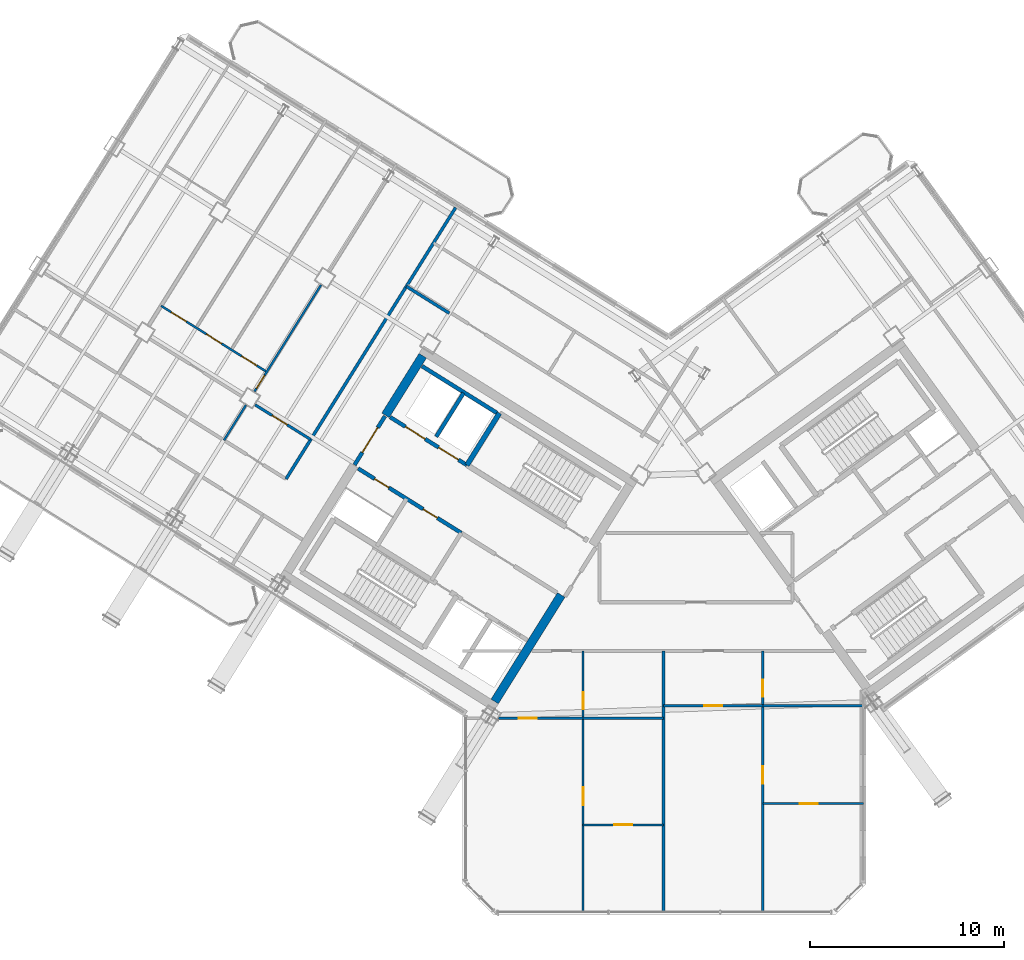
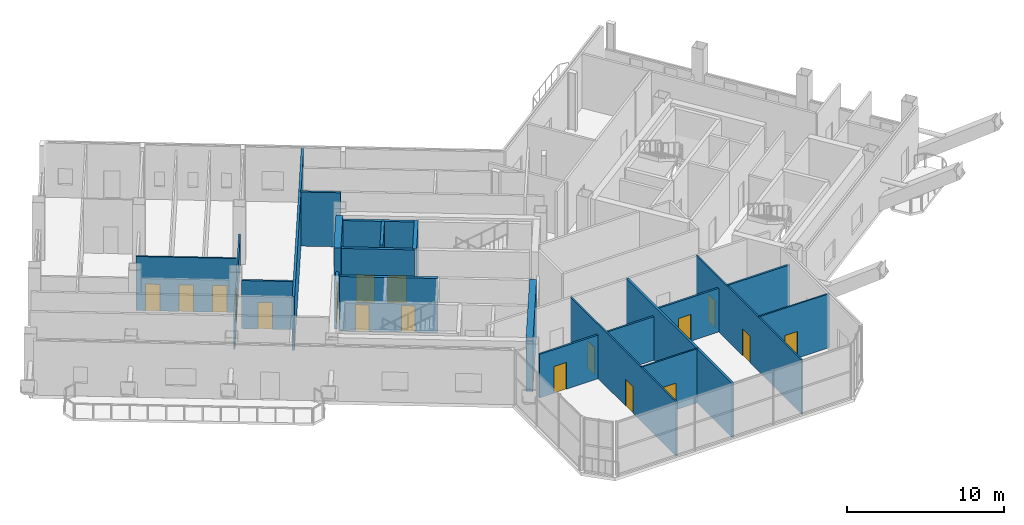
# One storey, part 23 of 34: 23 walls, 18 doors, 18 openings.
"""IFC4 building model written with IfcOpenShell, lengths in metres."""

from ifc_helpers import new_model, si_unit, direction, frame, frame_2d, origin, place, context, subcontext, project, spatial, rectangle, extrude, source, transform, mapped, material, layer, layer_set, type_object, element, fill, save


model = new_model("IFC4")

# Units and contexts
model_context = context("Model", 3, precision=1e-05, world=origin(), true_north=direction((0.0, 1.0)))
body_context = subcontext(model_context, "Body", "Model", "MODEL_VIEW")
ifc_project = project(units=[si_unit("LENGTHUNIT", "METRE"), si_unit("AREAUNIT", "SQUARE_METRE"), si_unit("VOLUMEUNIT", "CUBIC_METRE"), si_unit("PLANEANGLEUNIT", "RADIAN"), si_unit("MASSUNIT", "GRAM", prefix="KILO")], contexts=[model_context])

# Site, building, storey
site_placement = place(None, origin())
site = spatial("IfcSite", under=ifc_project, at=site_placement, CompositionType="ELEMENT")
building_placement = place(site_placement, origin())
building = spatial("IfcBuilding", under=site, at=building_placement, Name="Tlacorven Tower", CompositionType="ELEMENT")
storey_placement = place(building_placement, frame((0.0, 0.0, 229.199951171875)))
storey = spatial("IfcBuildingStorey", under=building, at=storey_placement, Name="L58", CompositionType="ELEMENT", Elevation=229.199951171875)

# Walls
ifc_material_1 = material(Name="Concrete C50/60", Category="concrete")
ifc_layer_1 = layer(ifc_material_1, 0.449951171875)
ifc_layer_set_1 = layer_set([ifc_layer_1], Name="Concrete C50/60")
wall_type_1 = type_object("IfcWallType", Name="WL-COR-450", PredefinedType="SHEAR", material=ifc_layer_set_1)
wall_1_placement = place(storey_placement, frame((36.683349609375, 18.30419921875, 0.0), z_axis=(0.0, 0.0, 1.0), x_axis=(-0.529904039071, -0.848057609704, 0.0)))
element("IfcWall", 1, at=wall_1_placement, inside=storey, type_object=wall_type_1, Name="L58 W core end wall E1.2", PredefinedType="SHEAR", context=body_context, shape_type="SweptSolid", body=[
    extrude(rectangle(XDim=6.47509765625, YDim=0.449951171875, at=frame_2d((3.237548828125, 0.0))), origin(), (0.0, 0.0, 1.0), 4.219970703125),
])
wall_2_placement = place(storey_placement, frame((29.543701171875, 30.636474609375, 0.0), z_axis=(0.0, 0.0, 1.0), x_axis=(-0.529902075036, -0.848058836916, 0.0)))
element("IfcWall", 2, at=wall_2_placement, inside=storey, type_object=wall_type_1, Name="L58 W core end wall E2.1", PredefinedType="SHEAR", context=body_context, shape_type="SweptSolid", body=[
    extrude(rectangle(XDim=3.625, YDim=0.449951171875, at=frame_2d((1.8125, 0.0))), origin(), (0.0, 0.0, 1.0), 4.219970703125),
])
ifc_material_2 = material(Name="Gypsum plasterboard acoustic partition", Category="gypsum")
ifc_layer_2 = layer(ifc_material_2, 0.159912109375)
ifc_layer_set_2 = layer_set([ifc_layer_2], Name="Gypsum plasterboard acoustic partition")
wall_type_2 = type_object("IfcWallType", Name="WL-DEM-160", PredefinedType="PARTITIONING", material=ifc_layer_set_2)
wall_3_placement = place(storey_placement, frame((30.91357421875, 32.82861328125, 0.0), z_axis=(0.0, 0.0, 1.0), x_axis=(-0.848008813643, 0.529982124211, 0.0)))
element("IfcWall", 3, at=wall_3_placement, inside=storey, type_object=wall_type_2, Name="L58 partition 36", PredefinedType="PARTITIONING", context=body_context, shape_type="SweptSolid", body=[
    extrude(rectangle(XDim=2.610107421875, YDim=0.159912109375, at=frame_2d((1.30517578125, 0.0))), origin(), (0.0, 0.0, 1.0), 4.2099609375),
])
wall_4_placement = place(storey_placement, frame((31.238525390625, 38.27392578125, 0.0), z_axis=(0.0, 0.0, 1.0), x_axis=(-0.529921796515, -0.848046513806, 0.0)))
element("IfcWall", 4, at=wall_4_placement, inside=storey, type_object=wall_type_2, Name="L58 partition 38", PredefinedType="PARTITIONING", context=body_context, shape_type="SweptSolid", body=[
    extrude(rectangle(XDim=16.5, YDim=0.159912109375, at=frame_2d((8.25, 0.0))), origin(), (0.0, 0.0, 1.0), 4.2099609375),
])
wall_5_placement = place(storey_placement, frame((41.949951171875, 1.9599609375, 0.0), z_axis=(0.0, 0.0, 1.0), x_axis=(0.0, 1.0, 0.0)))
element("IfcWall", 5, at=wall_5_placement, inside=storey, type_object=wall_type_2, Name="L58 Knuckle Demising Wall 1", PredefinedType="PARTITIONING", context=body_context, shape_type="SweptSolid", body=[
    extrude(rectangle(XDim=13.4599609375, YDim=0.159912109375, at=frame_2d((6.72998046875, 0.0))), origin(), (0.0, 0.0, 1.0), 4.2099609375),
])

# Wall, opening, door
ifc_material_3 = material(Name="Gypsum plasterboard partition", Category="gypsum")
ifc_layer_3 = layer(ifc_material_3, 0.110107421875)
ifc_layer_set_3 = layer_set([ifc_layer_3], Name="Gypsum plasterboard partition")
wall_type_3 = type_object("IfcWallType", Name="WL-INT-110", PredefinedType="PARTITIONING", material=ifc_layer_set_3)
wall_6_placement = place(storey_placement, frame((24.299072265625, 34.282958984375, 0.0), z_axis=(0.0, 0.0, 1.0), x_axis=(-0.529890499457, -0.848066069705, 0.0)))
wall_6 = element("IfcWall", 6, at=wall_6_placement, inside=storey, type_object=wall_type_3, Name="L58 partition 45", PredefinedType="PARTITIONING", context=body_context, shape_type="SweptSolid", body=[
    extrude(rectangle(XDim=6.47607421875, YDim=0.110107421875, at=frame_2d((3.238037109375, 0.0))), origin(), (0.0, 0.0, 1.0), 2.39501953125),
])
opening_1_placement = place(wall_6_placement, frame((5.49609375, 0.0, 0.0)))
opening_1 = element("IfcOpeningElement", 7, at=opening_1_placement, cuts=wall_6, Name="Opening D22", PredefinedType="OPENING", context=body_context, shape_type="SweptSolid", body=[
    extrude(rectangle(XDim=0.780029296875, YDim=2.050048828125, at=frame_2d((0.39013671875, 1.02490234375))), frame((0.0, 0.06494140625, 0.0), z_axis=(0.0, -1.0, 0.0), x_axis=(1.0, 0.0, 0.0)), (0.0, 0.0, 1.0), 0.130126953125),
])
ifc_material_4 = material(Name="Powder-coated aluminium and timber door", Category="wood")
door_type_1 = type_object("IfcDoorType", Name="DR-INT-WET-0780", OperationType="NOTDEFINED", PredefinedType="DOOR", material=ifc_material_4)
shared_shape_1 = source(origin(), body_context, "Body", "SweptSolid", [
    extrude(rectangle(XDim=0.780029296875, YDim=2.050048828125, at=frame_2d((0.39013671875, 1.02490234375))), frame((0.0, 0.02490234375, 0.0), z_axis=(0.0, -1.0, 0.0), x_axis=(1.0, 0.0, 0.0)), (0.0, 0.0, 1.0), 0.050048828125),
])
door_1_placement = place(opening_1_placement, origin())
door_1 = element("IfcDoor", 8, at=door_1_placement, inside=storey, type_object=door_type_1, Name="L58 door 026", OperationType="SINGLE_SWING_LEFT", OverallHeight=2.050048828125, OverallWidth=0.780029296875, PredefinedType="DOOR", context=body_context, shape_type="MappedRepresentation", body=[
    mapped(shared_shape_1, transform((0.0, 0.0, 0.0), scale=1.0)),
])
fill(opening_1, door_1)

# Wall
wall_7_placement = place(storey_placement, frame((20.4306640625, 28.092041015625, 0.0), z_axis=(0.0, 0.0, 1.0), x_axis=(-0.529978410432, -0.848011134641, 0.0)))
element("IfcWall", 9, at=wall_7_placement, inside=storey, type_object=wall_type_3, Name="L58 partition 45", PredefinedType="PARTITIONING", context=body_context, shape_type="SweptSolid", body=[
    extrude(rectangle(XDim=2.137939453125, YDim=0.110107421875, at=frame_2d((1.06884765625, 0.0))), origin(), (0.0, 0.0, 1.0), 2.39501953125),
])

# Wall, openings, doors
wall_8_placement = place(storey_placement, frame((21.502197265625, 29.806884765625, 0.0), z_axis=(0.0, 0.0, 1.0), x_axis=(-0.848051709137, 0.529913482212, 0.0)))
wall_8 = element("IfcWall", 10, at=wall_8_placement, inside=storey, type_object=wall_type_3, Name="L58 partition 49", PredefinedType="PARTITIONING", context=body_context, shape_type="SweptSolid", body=[
    extrude(rectangle(XDim=6.420166015625, YDim=0.110107421875, at=frame_2d((3.2099609375, 0.0))), origin(), (0.0, 0.0, 1.0), 4.2099609375),
])
opening_2_placement = place(wall_8_placement, frame((0.610107421875, 0.0, 0.0)))
opening_2 = element("IfcOpeningElement", 11, at=opening_2_placement, cuts=wall_8, Name="Opening D12", PredefinedType="OPENING", context=body_context, shape_type="SweptSolid", body=[
    extrude(rectangle(XDim=0.919921875, YDim=2.080078125, at=frame_2d((0.4599609375, 1.0400390625))), frame((0.0, 0.06494140625, 0.0), z_axis=(0.0, -1.0, 0.0), x_axis=(1.0, 0.0, 0.0)), (0.0, 0.0, 1.0), 0.130126953125),
])
opening_3_placement = place(wall_8_placement, frame((2.75, 0.0, 0.0)))
opening_3 = element("IfcOpeningElement", 12, at=opening_3_placement, cuts=wall_8, Name="Opening D12", PredefinedType="OPENING", context=body_context, shape_type="SweptSolid", body=[
    extrude(rectangle(XDim=0.919921875, YDim=2.080078125, at=frame_2d((0.4599609375, 1.0400390625))), frame((0.0, 0.06494140625, 0.0), z_axis=(0.0, -1.0, 0.0), x_axis=(1.0, 0.0, 0.0)), (0.0, 0.0, 1.0), 0.130126953125),
])
opening_4_placement = place(wall_8_placement, frame((4.889892578125, 0.0, 0.0)))
opening_4 = element("IfcOpeningElement", 13, at=opening_4_placement, cuts=wall_8, Name="Opening D12", PredefinedType="OPENING", context=body_context, shape_type="SweptSolid", body=[
    extrude(rectangle(XDim=0.919921875, YDim=2.080078125, at=frame_2d((0.4599609375, 1.0400390625))), frame((0.0, 0.06494140625, 0.0), z_axis=(0.0, -1.0, 0.0), x_axis=(1.0, 0.0, 0.0)), (0.0, 0.0, 1.0), 0.130126953125),
])
door_type_2 = type_object("IfcDoorType", Name="DR-INT-ROOM-0920", OperationType="NOTDEFINED", PredefinedType="DOOR", material=ifc_material_4)
shared_shape_2 = source(origin(), body_context, "Body", "SweptSolid", [
    extrude(rectangle(XDim=0.919921875, YDim=2.080078125, at=frame_2d((0.4599609375, 1.0400390625))), frame((0.0, 0.02490234375, 0.0), z_axis=(0.0, -1.0, 0.0), x_axis=(1.0, 0.0, 0.0)), (0.0, 0.0, 1.0), 0.050048828125),
])
door_2_placement = place(opening_2_placement, origin())
door_2 = element("IfcDoor", 14, at=door_2_placement, inside=storey, type_object=door_type_2, Name="L58 door 028", OperationType="SINGLE_SWING_LEFT", OverallHeight=2.080078125, OverallWidth=0.919921875, PredefinedType="DOOR", context=body_context, shape_type="MappedRepresentation", body=[
    mapped(shared_shape_2, transform((0.0, 0.0, 0.0), scale=1.0)),
])
fill(opening_2, door_2)
door_3_placement = place(opening_3_placement, origin())
door_3 = element("IfcDoor", 15, at=door_3_placement, inside=storey, type_object=door_type_2, Name="L58 door 029", OperationType="SINGLE_SWING_RIGHT", OverallHeight=2.080078125, OverallWidth=0.919921875, PredefinedType="DOOR", context=body_context, shape_type="MappedRepresentation", body=[
    mapped(shared_shape_2, transform((0.0, 0.0, 0.0), scale=1.0)),
])
fill(opening_3, door_3)
door_4_placement = place(opening_4_placement, origin())
door_4 = element("IfcDoor", 16, at=door_4_placement, inside=storey, type_object=door_type_2, Name="L58 door 030", OperationType="SINGLE_SWING_LEFT", OverallHeight=2.080078125, OverallWidth=0.919921875, PredefinedType="DOOR", context=body_context, shape_type="MappedRepresentation", body=[
    mapped(shared_shape_2, transform((0.0, 0.0, 0.0), scale=1.0)),
])
fill(opening_4, door_4)

wall_9_placement = place(storey_placement, frame((37.81298828125, 1.9599609375, 0.0), z_axis=(0.0, 0.0, 1.0), x_axis=(0.0, 1.0, 0.0)))
wall_9 = element("IfcWall", 17, at=wall_9_placement, inside=storey, type_object=wall_type_3, Name="L58 partition 69", PredefinedType="PARTITIONING", context=body_context, shape_type="SweptSolid", body=[
    extrude(rectangle(XDim=13.4599609375, YDim=0.110107421875, at=frame_2d((6.72998046875, 0.0))), origin(), (0.0, 0.0, 1.0), 4.2099609375),
])
opening_5_placement = place(wall_9_placement, frame((5.5, 0.0, 0.0)))
opening_5 = element("IfcOpeningElement", 18, at=opening_5_placement, cuts=wall_9, Name="Opening D12", PredefinedType="OPENING", context=body_context, shape_type="SweptSolid", body=[
    extrude(rectangle(XDim=0.919921875, YDim=2.080078125, at=frame_2d((0.4599609375, 1.0400390625))), frame((0.0, 0.06494140625, 0.0), z_axis=(0.0, -1.0, 0.0), x_axis=(1.0, 0.0, 0.0)), (0.0, 0.0, 1.0), 0.130126953125),
])
opening_6_placement = place(wall_9_placement, frame((10.449951171875, 0.0, 0.0)))
opening_6 = element("IfcOpeningElement", 19, at=opening_6_placement, cuts=wall_9, Name="Opening D13", PredefinedType="OPENING", context=body_context, shape_type="SweptSolid", body=[
    extrude(rectangle(XDim=0.8798828125, YDim=2.080078125, at=frame_2d((0.43994140625, 1.0400390625))), frame((0.0, 0.06494140625, 0.0), z_axis=(0.0, -1.0, 0.0), x_axis=(1.0, 0.0, 0.0)), (0.0, 0.0, 1.0), 0.130126953125),
])
door_type_3 = type_object("IfcDoorType", Name="DR-INT-WET-0880", OperationType="NOTDEFINED", PredefinedType="DOOR", material=ifc_material_4)
shared_shape_3 = source(origin(), body_context, "Body", "SweptSolid", [
    extrude(rectangle(XDim=0.8798828125, YDim=2.080078125, at=frame_2d((0.43994140625, 1.0400390625))), frame((0.0, 0.02490234375, 0.0), z_axis=(0.0, -1.0, 0.0), x_axis=(1.0, 0.0, 0.0)), (0.0, 0.0, 1.0), 0.050048828125),
])
door_5_placement = place(opening_6_placement, origin())
door_5 = element("IfcDoor", 20, at=door_5_placement, inside=storey, type_object=door_type_3, Name="L58 door 047", OperationType="SINGLE_SWING_RIGHT", OverallHeight=2.080078125, OverallWidth=0.8798828125, PredefinedType="DOOR", context=body_context, shape_type="MappedRepresentation", body=[
    mapped(shared_shape_3, transform((0.0, 0.0, 0.0), scale=1.0)),
])
fill(opening_6, door_5)
door_6_placement = place(opening_5_placement, origin())
door_6 = element("IfcDoor", 21, at=door_6_placement, inside=storey, type_object=door_type_2, Name="L58 door 043", OperationType="SINGLE_SWING_RIGHT", OverallHeight=2.080078125, OverallWidth=0.919921875, PredefinedType="DOOR", context=body_context, shape_type="MappedRepresentation", body=[
    mapped(shared_shape_2, transform((0.0, 0.0, 0.0), scale=1.0)),
])
fill(opening_5, door_6)

# Wall, opening, door
wall_10_placement = place(storey_placement, frame((37.81298828125, 6.449951171875, 0.0), z_axis=(0.0, 0.0, 1.0), x_axis=(1.0, 0.0, 0.0)))
wall_10 = element("IfcWall", 22, at=wall_10_placement, inside=storey, type_object=wall_type_3, Name="L58 partition 72", PredefinedType="PARTITIONING", context=body_context, shape_type="SweptSolid", body=[
    extrude(rectangle(XDim=4.136962890625, YDim=0.110107421875, at=frame_2d((2.068359375, 0.0))), origin(), (0.0, 0.0, 1.0), 4.2099609375),
])
opening_7_placement = place(wall_10_placement, frame((1.6083984375, 0.0, 0.0)))
opening_7 = element("IfcOpeningElement", 23, at=opening_7_placement, cuts=wall_10, Name="Opening D12", PredefinedType="OPENING", context=body_context, shape_type="SweptSolid", body=[
    extrude(rectangle(XDim=0.919921875, YDim=2.080078125, at=frame_2d((0.4599609375, 1.0400390625))), frame((0.0, 0.06494140625, 0.0), z_axis=(0.0, -1.0, 0.0), x_axis=(1.0, 0.0, 0.0)), (0.0, 0.0, 1.0), 0.130126953125),
])
door_7_placement = place(opening_7_placement, origin())
door_7 = element("IfcDoor", 24, at=door_7_placement, inside=storey, type_object=door_type_2, Name="L58 door 044", OperationType="SINGLE_SWING_LEFT", OverallHeight=2.080078125, OverallWidth=0.919921875, PredefinedType="DOOR", context=body_context, shape_type="MappedRepresentation", body=[
    mapped(shared_shape_2, transform((0.0, 0.0, 0.0), scale=1.0)),
])
fill(opening_7, door_7)

# Wall, openings, doors
wall_11_placement = place(storey_placement, frame((47.072021484375, 1.9599609375, 0.0), z_axis=(0.0, 0.0, 1.0), x_axis=(0.0, 1.0, 0.0)))
wall_11 = element("IfcWall", 25, at=wall_11_placement, inside=storey, type_object=wall_type_3, Name="L58 partition 73", PredefinedType="PARTITIONING", context=body_context, shape_type="SweptSolid", body=[
    extrude(rectangle(XDim=13.4599609375, YDim=0.110107421875, at=frame_2d((6.72998046875, 0.0))), origin(), (0.0, 0.0, 1.0), 4.2099609375),
])
opening_8_placement = place(wall_11_placement, frame((6.60009765625, 0.0, 0.0)))
opening_8 = element("IfcOpeningElement", 26, at=opening_8_placement, cuts=wall_11, Name="Opening D12", PredefinedType="OPENING", context=body_context, shape_type="SweptSolid", body=[
    extrude(rectangle(XDim=0.919921875, YDim=2.080078125, at=frame_2d((0.4599609375, 1.0400390625))), frame((0.0, 0.06494140625, 0.0), z_axis=(0.0, -1.0, 0.0), x_axis=(1.0, 0.0, 0.0)), (0.0, 0.0, 1.0), 0.130126953125),
])
opening_9_placement = place(wall_11_placement, frame((11.10009765625, 0.0, 0.0)))
opening_9 = element("IfcOpeningElement", 27, at=opening_9_placement, cuts=wall_11, Name="Opening D13", PredefinedType="OPENING", context=body_context, shape_type="SweptSolid", body=[
    extrude(rectangle(XDim=0.8798828125, YDim=2.080078125, at=frame_2d((0.43994140625, 1.0400390625))), frame((0.0, 0.06494140625, 0.0), z_axis=(0.0, -1.0, 0.0), x_axis=(1.0, 0.0, 0.0)), (0.0, 0.0, 1.0), 0.130126953125),
])
door_8_placement = place(opening_9_placement, origin())
door_8 = element("IfcDoor", 28, at=door_8_placement, inside=storey, type_object=door_type_3, Name="L58 door 052", OperationType="SINGLE_SWING_LEFT", OverallHeight=2.080078125, OverallWidth=0.8798828125, PredefinedType="DOOR", context=body_context, shape_type="MappedRepresentation", body=[
    mapped(shared_shape_3, transform((0.0, 0.0, 0.0), scale=1.0)),
])
fill(opening_9, door_8)
door_9_placement = place(opening_8_placement, origin())
door_9 = element("IfcDoor", 29, at=door_9_placement, inside=storey, type_object=door_type_2, Name="L58 door 048", OperationType="SINGLE_SWING_LEFT", OverallHeight=2.080078125, OverallWidth=0.919921875, PredefinedType="DOOR", context=body_context, shape_type="MappedRepresentation", body=[
    mapped(shared_shape_2, transform((0.0, 0.0, 0.0), scale=1.0)),
])
fill(opening_8, door_9)

# Wall, opening, door
wall_12_placement = place(storey_placement, frame((47.072021484375, 7.550048828125, 0.0), z_axis=(0.0, 0.0, 1.0), x_axis=(1.0, 0.0, 0.0)))
wall_12 = element("IfcWall", 30, at=wall_12_placement, inside=storey, type_object=wall_type_3, Name="L58 partition 76", PredefinedType="PARTITIONING", context=body_context, shape_type="SweptSolid", body=[
    extrude(rectangle(XDim=5.18798828125, YDim=0.110107421875, at=frame_2d((2.593994140625, 0.0))), origin(), (0.0, 0.0, 1.0), 4.2099609375),
])
opening_10_placement = place(wall_12_placement, frame((1.904052734375, 0.0, 0.0)))
opening_10 = element("IfcOpeningElement", 31, at=opening_10_placement, cuts=wall_12, Name="Opening D12", PredefinedType="OPENING", context=body_context, shape_type="SweptSolid", body=[
    extrude(rectangle(XDim=0.919921875, YDim=2.080078125, at=frame_2d((0.4599609375, 1.0400390625))), frame((0.0, 0.06494140625, 0.0), z_axis=(0.0, -1.0, 0.0), x_axis=(1.0, 0.0, 0.0)), (0.0, 0.0, 1.0), 0.130126953125),
])
door_10_placement = place(opening_10_placement, origin())
door_10 = element("IfcDoor", 32, at=door_10_placement, inside=storey, type_object=door_type_2, Name="L58 door 049", OperationType="SINGLE_SWING_RIGHT", OverallHeight=2.080078125, OverallWidth=0.919921875, PredefinedType="DOOR", context=body_context, shape_type="MappedRepresentation", body=[
    mapped(shared_shape_2, transform((0.0, 0.0, 0.0), scale=1.0)),
])
fill(opening_10, door_10)

ifc_material_5 = material(Name="Moisture-resistant gypsum plumbing wall", Category="gypsum")
ifc_layer_4 = layer(ifc_material_5, 0.139892578125)
ifc_layer_set_4 = layer_set([ifc_layer_4], Name="Moisture-resistant gypsum plumbing wall")
wall_type_4 = type_object("IfcWallType", Name="WL-PLM-140", PredefinedType="PLUMBINGWALL", material=ifc_layer_set_4)
wall_13_placement = place(storey_placement, frame((23.7666015625, 26.31640625, 0.0), z_axis=(0.0, 0.0, 1.0), x_axis=(-0.848055143312, 0.529907986259, 0.0)))
wall_13 = element("IfcWall", 33, at=wall_13_placement, inside=storey, type_object=wall_type_4, Name="L58 partition 47", PredefinedType="PLUMBINGWALL", context=body_context, shape_type="SweptSolid", body=[
    extrude(rectangle(XDim=3.3779296875, YDim=0.139892578125, at=frame_2d((1.68896484375, 0.0))), origin(), (0.0, 0.0, 1.0), 3.7451171875),
])
opening_11_placement = place(wall_13_placement, frame((1.425048828125, 0.0, 0.0)))
opening_11 = element("IfcOpeningElement", 34, at=opening_11_placement, cuts=wall_13, Name="Opening D12", PredefinedType="OPENING", context=body_context, shape_type="SweptSolid", body=[
    extrude(rectangle(XDim=0.919921875, YDim=2.080078125, at=frame_2d((0.4599609375, 1.0400390625))), frame((0.0, 0.080078125, 0.0), z_axis=(0.0, -1.0, 0.0), x_axis=(1.0, 0.0, 0.0)), (0.0, 0.0, 1.0), 0.159912109375),
])
door_11_placement = place(opening_11_placement, origin())
door_11 = element("IfcDoor", 35, at=door_11_placement, inside=storey, type_object=door_type_2, Name="L58 door 025", OperationType="SINGLE_SWING_RIGHT", OverallHeight=2.080078125, OverallWidth=0.919921875, PredefinedType="DOOR", context=body_context, shape_type="MappedRepresentation", body=[
    mapped(shared_shape_2, transform((0.0, 0.0, 0.0), scale=1.0)),
])
fill(opening_11, door_11)

wall_14_placement = place(storey_placement, frame((33.446533203125, 11.949951171875, 0.0), z_axis=(0.0, 0.0, 1.0), x_axis=(1.0, 0.0, 0.0)))
wall_14 = element("IfcWall", 36, at=wall_14_placement, inside=storey, type_object=wall_type_4, Name="L58 partition 70", PredefinedType="PLUMBINGWALL", context=body_context, shape_type="SweptSolid", body=[
    extrude(rectangle(XDim=4.366455078125, YDim=0.139892578125, at=frame_2d((2.18310546875, 0.0))), origin(), (0.0, 0.0, 1.0), 3.39501953125),
])
opening_12_placement = place(wall_14_placement, frame((1.050048828125, 0.0, 0.0)))
opening_12 = element("IfcOpeningElement", 37, at=opening_12_placement, cuts=wall_14, Name="Opening D12", PredefinedType="OPENING", context=body_context, shape_type="SweptSolid", body=[
    extrude(rectangle(XDim=0.919921875, YDim=2.080078125, at=frame_2d((0.4599609375, 1.0400390625))), frame((0.0, 0.080078125, 0.0), z_axis=(0.0, -1.0, 0.0), x_axis=(1.0, 0.0, 0.0)), (0.0, 0.0, 1.0), 0.159912109375),
])
door_12_placement = place(opening_12_placement, frame((0.919921875, 0.0, 0.0), z_axis=(0.0, 0.0, 1.0), x_axis=(-1.0, 0.0, 0.0)))
door_12 = element("IfcDoor", 38, at=door_12_placement, inside=storey, type_object=door_type_2, Name="L58 door 046", OperationType="SINGLE_SWING_LEFT", OverallHeight=2.080078125, OverallWidth=0.919921875, PredefinedType="DOOR", context=body_context, shape_type="MappedRepresentation", body=[
    mapped(shared_shape_2, transform((0.0, 0.0, 0.0), scale=1.0)),
])
fill(opening_12, door_12)

# Wall
wall_15_placement = place(storey_placement, frame((37.81298828125, 11.949951171875, 0.0), z_axis=(0.0, 0.0, 1.0), x_axis=(1.0, 0.0, 0.0)))
element("IfcWall", 39, at=wall_15_placement, inside=storey, type_object=wall_type_4, Name="L58 partition 71", PredefinedType="PLUMBINGWALL", context=body_context, shape_type="SweptSolid", body=[
    extrude(rectangle(XDim=4.136962890625, YDim=0.139892578125, at=frame_2d((2.068359375, 0.0))), origin(), (0.0, 0.0, 1.0), 3.39501953125),
])

# Wall, opening, door
wall_16_placement = place(storey_placement, frame((41.949951171875, 12.60009765625, 0.0), z_axis=(0.0, 0.0, 1.0), x_axis=(1.0, 0.0, 0.0)))
wall_16 = element("IfcWall", 40, at=wall_16_placement, inside=storey, type_object=wall_type_4, Name="L58 partition 74", PredefinedType="PLUMBINGWALL", context=body_context, shape_type="SweptSolid", body=[
    extrude(rectangle(XDim=5.1220703125, YDim=0.139892578125, at=frame_2d((2.56103515625, 0.0))), origin(), (0.0, 0.0, 1.0), 3.39501953125),
])
opening_13_placement = place(wall_16_placement, frame((2.10107421875, 0.0, 0.0)))
opening_13 = element("IfcOpeningElement", 41, at=opening_13_placement, cuts=wall_16, Name="Opening D12", PredefinedType="OPENING", context=body_context, shape_type="SweptSolid", body=[
    extrude(rectangle(XDim=0.919921875, YDim=2.080078125, at=frame_2d((0.4599609375, 1.0400390625))), frame((0.0, 0.080078125, 0.0), z_axis=(0.0, -1.0, 0.0), x_axis=(1.0, 0.0, 0.0)), (0.0, 0.0, 1.0), 0.159912109375),
])
door_13_placement = place(opening_13_placement, frame((0.919921875, 0.0, 0.0), z_axis=(0.0, 0.0, 1.0), x_axis=(-1.0, 0.0, 0.0)))
door_13 = element("IfcDoor", 42, at=door_13_placement, inside=storey, type_object=door_type_2, Name="L58 door 051", OperationType="SINGLE_SWING_RIGHT", OverallHeight=2.080078125, OverallWidth=0.919921875, PredefinedType="DOOR", context=body_context, shape_type="MappedRepresentation", body=[
    mapped(shared_shape_2, transform((0.0, 0.0, 0.0), scale=1.0)),
])
fill(opening_13, door_13)

# Wall
wall_17_placement = place(storey_placement, frame((47.072021484375, 12.60009765625, 0.0), z_axis=(0.0, 0.0, 1.0), x_axis=(1.0, 0.0, 0.0)))
element("IfcWall", 43, at=wall_17_placement, inside=storey, type_object=wall_type_4, Name="L58 partition 75", PredefinedType="PLUMBINGWALL", context=body_context, shape_type="SweptSolid", body=[
    extrude(rectangle(XDim=5.18798828125, YDim=0.139892578125, at=frame_2d((2.593994140625, 0.0))), origin(), (0.0, 0.0, 1.0), 3.39501953125),
])

# Wall, openings, doors
ifc_material_6 = material(Name="Concrete C40/50", Category="concrete")
ifc_layer_5 = layer(ifc_material_6, 0.199951171875)
ifc_layer_set_5 = layer_set([ifc_layer_5], Name="Concrete C40/50")
wall_type_5 = type_object("IfcWallType", Name="WL-SHF-200", PredefinedType="STANDARD", material=ifc_layer_set_5)
wall_18_placement = place(storey_placement, frame((31.82177734375, 24.99755859375, 0.0), z_axis=(0.0, 0.0, 1.0), x_axis=(-0.848054125777, 0.529909614701, 0.0)))
wall_18 = element("IfcWall", 44, at=wall_18_placement, inside=storey, type_object=wall_type_5, Name="L58 Core W South Lift Shaft Wall", PredefinedType="STANDARD", context=body_context, shape_type="SweptSolid", body=[
    extrude(rectangle(XDim=4.66796875, YDim=0.199951171875, at=frame_2d((2.333984375, 0.0))), origin(), (0.0, 0.0, 1.0), 4.2099609375),
])
opening_14_placement = place(wall_18_placement, frame((0.52001953125, 0.0, 0.0)))
opening_14 = element("IfcOpeningElement", 45, at=opening_14_placement, cuts=wall_18, Name="Opening LD02", PredefinedType="OPENING", context=body_context, shape_type="SweptSolid", body=[
    extrude(rectangle(XDim=1.199951171875, YDim=2.14990234375, at=frame_2d((0.60009765625, 1.074951171875))), frame((0.0, 0.10986328125, 0.0), z_axis=(0.0, -1.0, 0.0), x_axis=(1.0, 0.0, 0.0)), (0.0, 0.0, 1.0), 0.219970703125),
])
opening_15_placement = place(wall_18_placement, frame((2.5400390625, 0.0, 0.0)))
opening_15 = element("IfcOpeningElement", 46, at=opening_15_placement, cuts=wall_18, Name="Opening LD02", PredefinedType="OPENING", context=body_context, shape_type="SweptSolid", body=[
    extrude(rectangle(XDim=1.199951171875, YDim=2.14990234375, at=frame_2d((0.60009765625, 1.074951171875))), frame((0.0, 0.10986328125, 0.0), z_axis=(0.0, -1.0, 0.0), x_axis=(1.0, 0.0, 0.0)), (0.0, 0.0, 1.0), 0.219970703125),
])
ifc_material_7 = material(Name="Fire-rated steel door assembly", Category="steel")
door_type_4 = type_object("IfcDoorType", Name="DR-LFT-SLID-1200", OperationType="DOUBLE_DOOR_SLIDING", PredefinedType="DOOR", material=ifc_material_7)
shared_shape_4 = source(origin(), body_context, "Body", "SweptSolid", [
    extrude(rectangle(XDim=1.199951171875, YDim=2.14990234375, at=frame_2d((0.60009765625, 1.074951171875))), frame((0.0, 0.02490234375, 0.0), z_axis=(0.0, -1.0, 0.0), x_axis=(1.0, 0.0, 0.0)), (0.0, 0.0, 1.0), 0.050048828125),
])
door_14_placement = place(opening_14_placement, origin())
door_14 = element("IfcDoor", 47, at=door_14_placement, inside=storey, type_object=door_type_4, Name="L58 Lift PL-H1 Sliding Landing Door", OperationType="DOUBLE_DOOR_SLIDING", OverallHeight=2.14990234375, OverallWidth=1.199951171875, PredefinedType="DOOR", context=body_context, shape_type="MappedRepresentation", body=[
    mapped(shared_shape_4, transform((0.0, 0.0, 0.0), scale=1.0)),
])
fill(opening_14, door_14)
door_15_placement = place(opening_15_placement, origin())
door_15 = element("IfcDoor", 48, at=door_15_placement, inside=storey, type_object=door_type_4, Name="L58 Lift PL-H2 Sliding Landing Door", OperationType="DOUBLE_DOOR_SLIDING", OverallHeight=2.14990234375, OverallWidth=1.199951171875, PredefinedType="DOOR", context=body_context, shape_type="MappedRepresentation", body=[
    mapped(shared_shape_4, transform((0.0, 0.0, 0.0), scale=1.0)),
])
fill(opening_15, door_15)

# Walls
wall_19_placement = place(storey_placement, frame((31.645263671875, 28.716064453125, 0.0), z_axis=(0.0, 0.0, 1.0), x_axis=(-0.52986693015, -0.848080795876, 0.0)))
element("IfcWall", 49, at=wall_19_placement, inside=storey, type_object=wall_type_5, Name="L58 partition 12", PredefinedType="STANDARD", context=body_context, shape_type="SweptSolid", body=[
    extrude(rectangle(XDim=2.659912109375, YDim=0.199951171875, at=frame_2d((1.330078125, 0.0))), origin(), (0.0, 0.0, 1.0), 4.2099609375),
])
wall_20_placement = place(storey_placement, frame((33.362548828125, 27.690185546875, 0.0), z_axis=(0.0, 0.0, 1.0), x_axis=(-0.84804957148, 0.529916903215, 0.0)))
element("IfcWall", 50, at=wall_20_placement, inside=storey, type_object=wall_type_5, Name="L58 partition 14", PredefinedType="STANDARD", context=body_context, shape_type="SweptSolid", body=[
    extrude(rectangle(XDim=4.547607421875, YDim=0.199951171875, at=frame_2d((2.27392578125, 0.0))), origin(), (0.0, 0.0, 1.0), 4.2099609375),
])

# Wall, openings, doors
wall_21_placement = place(storey_placement, frame((31.525146484375, 21.503662109375, 0.0), z_axis=(0.0, 0.0, 1.0), x_axis=(-0.848042066329, 0.529928913853, 0.0)))
wall_21 = element("IfcWall", 51, at=wall_21_placement, inside=storey, type_object=wall_type_5, Name="L58 Core W North Service Wall", PredefinedType="STANDARD", context=body_context, shape_type="SweptSolid", body=[
    extrude(rectangle(XDim=6.267822265625, YDim=0.199951171875, at=frame_2d((3.1337890625, 0.0))), origin(), (0.0, 0.0, 1.0), 4.2099609375),
])
opening_16_placement = place(wall_21_placement, frame((4.39990234375, 0.0, 0.0)))
opening_16 = element("IfcOpeningElement", 52, at=opening_16_placement, cuts=wall_21, Name="Opening D19", PredefinedType="OPENING", context=body_context, shape_type="SweptSolid", body=[
    extrude(rectangle(XDim=0.860107421875, YDim=2.050048828125, at=frame_2d((0.43017578125, 1.02490234375))), frame((0.0, 0.10986328125, 0.0), z_axis=(0.0, -1.0, 0.0), x_axis=(1.0, 0.0, 0.0)), (0.0, 0.0, 1.0), 0.219970703125),
])
opening_17_placement = place(wall_21_placement, frame((1.449951171875, 0.0, 0.0)))
opening_17 = element("IfcOpeningElement", 53, at=opening_17_placement, cuts=wall_21, Name="Opening D19", PredefinedType="OPENING", context=body_context, shape_type="SweptSolid", body=[
    extrude(rectangle(XDim=0.860107421875, YDim=2.050048828125, at=frame_2d((0.43017578125, 1.02490234375))), frame((0.0, 0.10986328125, 0.0), z_axis=(0.0, -1.0, 0.0), x_axis=(1.0, 0.0, 0.0)), (0.0, 0.0, 1.0), 0.219970703125),
])
door_type_5 = type_object("IfcDoorType", Name="DR-RSR-FD60-0860", OperationType="NOTDEFINED", PredefinedType="DOOR", material=ifc_material_7)
shared_shape_5 = source(origin(), body_context, "Body", "SweptSolid", [
    extrude(rectangle(XDim=0.860107421875, YDim=2.050048828125, at=frame_2d((0.43017578125, 1.02490234375))), frame((0.0, 0.02490234375, 0.0), z_axis=(0.0, -1.0, 0.0), x_axis=(1.0, 0.0, 0.0)), (0.0, 0.0, 1.0), 0.050048828125),
])
door_16_placement = place(opening_16_placement, frame((0.860107421875, 0.0, 0.0), z_axis=(0.0, 0.0, 1.0), x_axis=(-1.0, 0.0, 0.0)))
door_16 = element("IfcDoor", 54, at=door_16_placement, inside=storey, type_object=door_type_5, Name="L58 Electrical Riser Access Door W", OperationType="SINGLE_SWING_LEFT", OverallHeight=2.050048828125, OverallWidth=0.860107421875, PredefinedType="DOOR", context=body_context, shape_type="MappedRepresentation", body=[
    mapped(shared_shape_5, transform((0.0, 0.0, 0.0), scale=1.0)),
])
fill(opening_16, door_16)
door_17_placement = place(opening_17_placement, frame((0.860107421875, 0.0, 0.0), z_axis=(0.0, 0.0, 1.0), x_axis=(-1.0, 0.0, 0.0)))
door_17 = element("IfcDoor", 55, at=door_17_placement, inside=storey, type_object=door_type_5, Name="L58 Housekeeping Linen Access Door W", OperationType="SINGLE_SWING_RIGHT", OverallHeight=2.050048828125, OverallWidth=0.860107421875, PredefinedType="DOOR", context=body_context, shape_type="MappedRepresentation", body=[
    mapped(shared_shape_5, transform((0.0, 0.0, 0.0), scale=1.0)),
])
fill(opening_17, door_17)

# Wall, opening, door
wall_22_placement = place(storey_placement, frame((27.59619140625, 27.52001953125, 0.0), z_axis=(0.0, 0.0, 1.0), x_axis=(-0.529865479138, -0.848081702443, 0.0)))
wall_22 = element("IfcWall", 56, at=wall_22_placement, inside=storey, type_object=wall_type_5, Name="L58 partition 35", PredefinedType="STANDARD", context=body_context, shape_type="SweptSolid", body=[
    extrude(rectangle(XDim=2.9599609375, YDim=0.199951171875, at=frame_2d((1.47998046875, 0.0))), origin(), (0.0, 0.0, 1.0), 2.39501953125),
])
opening_18_placement = place(wall_22_placement, frame((0.699951171875, 0.0, 0.0)))
opening_18 = element("IfcOpeningElement", 57, at=opening_18_placement, cuts=wall_22, Name="Opening D10", PredefinedType="OPENING", context=body_context, shape_type="SweptSolid", body=[
    extrude(rectangle(XDim=1.5, YDim=2.14990234375, at=frame_2d((0.75, 1.074951171875))), frame((0.0, 0.10986328125, 0.0), z_axis=(0.0, -1.0, 0.0), x_axis=(1.0, 0.0, 0.0)), (0.0, 0.0, 1.0), 0.219970703125),
])
door_type_6 = type_object("IfcDoorType", Name="DR-LOB-FD60-1500", OperationType="DOUBLE_DOOR_SINGLE_SWING", PredefinedType="DOOR", material=ifc_material_7)
shared_shape_6 = source(origin(), body_context, "Body", "SweptSolid", [
    extrude(rectangle(XDim=1.5, YDim=2.14990234375, at=frame_2d((0.75, 1.074951171875))), frame((0.0, 0.02490234375, 0.0), z_axis=(0.0, -1.0, 0.0), x_axis=(1.0, 0.0, 0.0)), (0.0, 0.0, 1.0), 0.050048828125),
])
door_18_placement = place(opening_18_placement, origin())
door_18 = element("IfcDoor", 58, at=door_18_placement, inside=storey, type_object=door_type_6, Name="L58 door 019", OperationType="DOUBLE_DOOR_SINGLE_SWING", OverallHeight=2.14990234375, OverallWidth=1.5, PredefinedType="DOOR", context=body_context, shape_type="MappedRepresentation", body=[
    mapped(shared_shape_6, transform((0.0, 0.0, 0.0), scale=1.0)),
])
fill(opening_18, door_18)

# Wall
ifc_layer_6 = layer(ifc_material_1, 0.260009765625)
ifc_layer_set_6 = layer_set([ifc_layer_6], Name="Concrete C50/60")
wall_type_6 = type_object("IfcWallType", Name="WL-STW-260", PredefinedType="SHEAR", material=ifc_layer_set_6)
wall_23_placement = place(storey_placement, frame((33.496337890625, 27.677490234375, 0.0), z_axis=(0.0, 0.0, 1.0), x_axis=(-0.529908658664, -0.84805472316, 0.0)))
element("IfcWall", 59, at=wall_23_placement, inside=storey, type_object=wall_type_6, Name="L58 Stair W2 East Shear Wall", PredefinedType="SHEAR", context=body_context, shape_type="SweptSolid", body=[
    extrude(rectangle(XDim=3.16015625, YDim=0.260009765625, at=frame_2d((1.580078125, 0.0))), origin(), (0.0, 0.0, 1.0), 4.219970703125),
])

save(model, "model.ifc")
